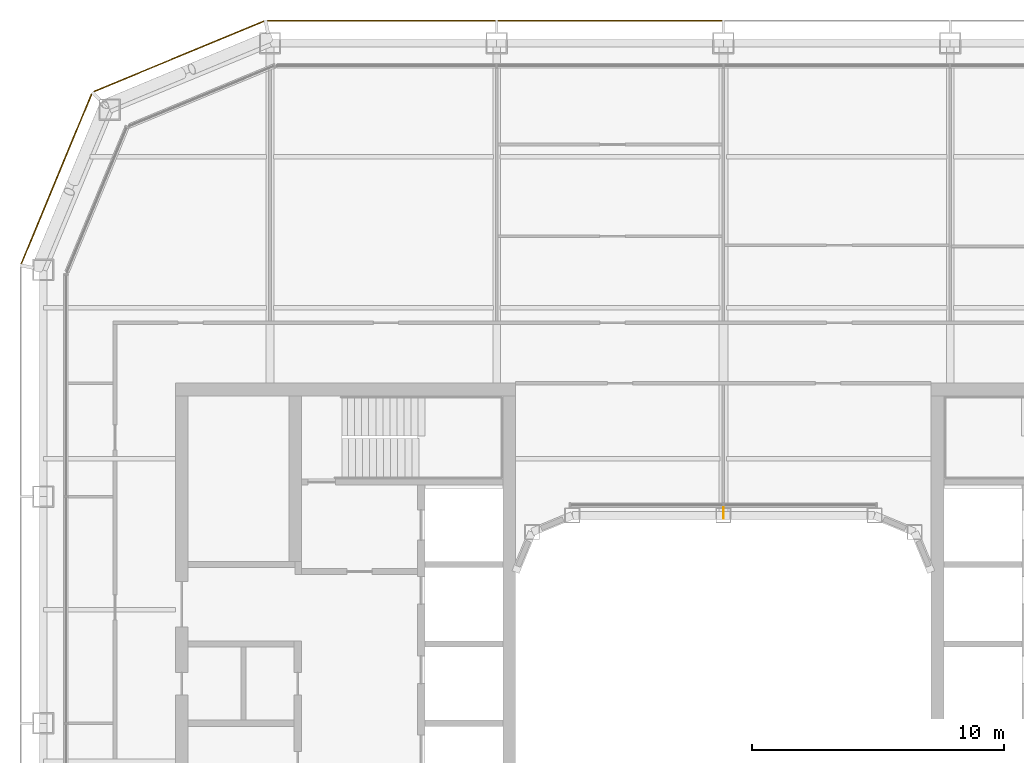
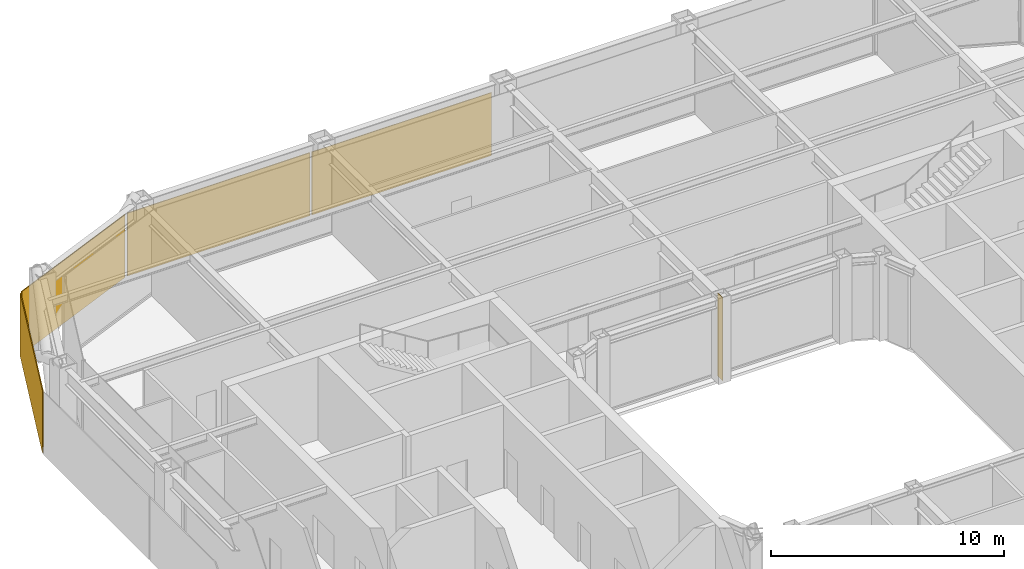
# One storey, part 18 of 19: 4 coverings, 1 shading device.
"""IFC4 building model written with IfcOpenShell, lengths in metres."""

import ifcopenshell
import ifcopenshell.guid

model = None  # the IFC model being written
_history = None  # IfcOwnerHistory: only IFC2X3 demands one
_inside = {}  # id of a spatial element -> (the spatial element, [elements in it])
_under = {}  # id of a project, library or spatial element -> (it, [spatial elements below it])
_declared = {}  # id of a project -> (the project, [libraries it declares])
_typed = {}  # id of a type object -> (the type object, [elements of that type])
_made_of = {}  # id of a material, layer set ... -> (it, [elements and type objects made of it])


def new_model(schema):
    """Start an empty IFC model of exactly this schema.

    Asked for "IFC4X3", IfcOpenShell would pick the latest addendum, in which some entities
    have other attributes; the version numbers below select the first issue.
    IFC2X3 requires an IfcOwnerHistory on every rooted entity: one is made here for all.
    """
    global model, _history
    if schema == "IFC4X3":
        model = ifcopenshell.file(schema_version=(4, 3, 0, 0))
    else:
        model = ifcopenshell.file(schema=schema)
    _inside.clear()
    _under.clear()
    _declared.clear()
    _typed.clear()
    _made_of.clear()
    _history = None
    if model.schema == "IFC2X3":
        org = make("IfcOrganization", Name="unknown")
        user = make(
            "IfcPersonAndOrganization",
            ThePerson=make("IfcPerson", FamilyName="unknown"),
            TheOrganization=org,
        )
        app = make(
            "IfcApplication",
            ApplicationDeveloper=org,
            Version="unknown",
            ApplicationFullName="unknown",
            ApplicationIdentifier="unknown",
        )
        _history = make(
            "IfcOwnerHistory",
            OwningUser=user,
            OwningApplication=app,
            ChangeAction="ADDED",
            CreationDate=0,
        )
    return model


def make(cls, **values):
    """One entity of the class cls with the attributes given. An attribute that is None is left unset."""
    return model.create_entity(
        cls, **{name: value for name, value in values.items() if value is not None}
    )


def rooted(cls, **values):
    """An entity with a GlobalId (a new one), such as an element, a storey or a relation."""
    return make(cls, GlobalId=ifcopenshell.guid.new(), OwnerHistory=_history, **values)


def si_unit(unit_type, name, prefix=None):
    """IfcSIUnit, for example si_unit("LENGTHUNIT", "METRE", prefix="MILLI")."""
    return make("IfcSIUnit", UnitType=unit_type, Prefix=prefix, Name=name)


def assignment(units):
    """IfcUnitAssignment: the units of a project."""
    return None if units is None else make("IfcUnitAssignment", Units=units)


def point(xyz):
    """IfcCartesianPoint."""
    return None if xyz is None else make("IfcCartesianPoint", Coordinates=xyz)


def direction(xyz):
    """IfcDirection."""
    return None if xyz is None else make("IfcDirection", DirectionRatios=xyz)


def frame(location, z_axis=None, x_axis=None):
    """IfcAxis2Placement3D, a coordinate frame: its origin and axes. An axis left out is left unset."""
    return make(
        "IfcAxis2Placement3D",
        Location=point(location),
        Axis=direction(z_axis),
        RefDirection=direction(x_axis),
    )


def frame_2d(location, x_axis=None):
    """IfcAxis2Placement2D, a coordinate frame in the plane: its origin and x axis."""
    return make(
        "IfcAxis2Placement2D", Location=point(location), RefDirection=direction(x_axis)
    )


def origin():
    """The frame at (0, 0, 0) with its axes left unset."""
    return frame((0.0, 0.0, 0.0))


def origin_2d():
    """The frame at (0, 0) in the plane with its x axis left unset."""
    return frame_2d((0.0, 0.0))


def place(relative_to, where):
    """IfcLocalPlacement: puts the frame where relative to a parent placement (None: the world)."""
    return make(
        "IfcLocalPlacement", PlacementRelTo=relative_to, RelativePlacement=where
    )


def context(
    kind, dimensions, precision=None, world=None, true_north=None, identifier=None
):
    """IfcGeometricRepresentationContext, for example the 3D "Model" context."""
    return make(
        "IfcGeometricRepresentationContext",
        ContextIdentifier=identifier,
        ContextType=kind,
        CoordinateSpaceDimension=dimensions,
        Precision=precision,
        WorldCoordinateSystem=world,
        TrueNorth=true_north,
    )


def subcontext(parent, identifier, kind, view, scale=None):
    """IfcGeometricRepresentationSubContext, for example "Body" below "Model"."""
    return make(
        "IfcGeometricRepresentationSubContext",
        ContextIdentifier=identifier,
        ContextType=kind,
        ParentContext=parent,
        TargetScale=scale,
        TargetView=view,
    )


def project(units=None, contexts=None):
    """IfcProject with its units and contexts."""
    return rooted(
        "IfcProject",
        Name="project",
        RepresentationContexts=contexts,
        UnitsInContext=assignment(units),
    )


def spatial(cls, under=None, at=None, **own):
    """A site, building, storey or space (cls), placed at a placement, below another one or the project."""
    s = rooted(cls, ObjectPlacement=at, **own)
    if under is not None:
        _under.setdefault(under.id(), (under, []))[1].append(s)
    return s


def profile(cls, at=None, kind="AREA", **sizes):
    """A parametric profile (cls). Its sizes go by their IFC names, for example OverallWidth=200.0."""
    return make(cls, ProfileType=kind, Position=at, **sizes)


def rectangle(**sizes):
    """IfcRectangleProfileDef."""
    return profile("IfcRectangleProfileDef", **sizes)


def extrude(swept, where, along, depth):
    """IfcExtrudedAreaSolid: the profile swept, set in the frame where, extruded along a direction by depth."""
    return make(
        "IfcExtrudedAreaSolid",
        SweptArea=swept,
        Position=where,
        ExtrudedDirection=direction(along),
        Depth=depth,
    )


def shape(context_of_items, identifier, shape_type, items):
    """IfcShapeRepresentation: the items that make up one representation, for example the "Body"."""
    return make(
        "IfcShapeRepresentation",
        ContextOfItems=context_of_items,
        RepresentationIdentifier=identifier,
        RepresentationType=shape_type,
        Items=items,
    )


def material(Name=None, Category=None):
    """IfcMaterial."""
    return make("IfcMaterial", Name=Name, Category=Category)


def layer(
    of_material, thickness, ventilated=None, Name=None, Category=None, Priority=None
):
    """IfcMaterialLayer: one layer of a wall or slab, of a material (None: an air gap)."""
    return make(
        "IfcMaterialLayer",
        Material=of_material,
        LayerThickness=thickness,
        IsVentilated=ventilated,
        Name=Name,
        Category=Category,
        Priority=Priority,
    )


def layer_set(layers, Name=None):
    """IfcMaterialLayerSet."""
    return make("IfcMaterialLayerSet", MaterialLayers=layers, LayerSetName=Name)


def made_of(thing, what):
    """Note that an element or type object is made of a material, layer set ...; save() writes the relation."""
    if what is not None:
        _made_of.setdefault(what.id(), (what, []))[1].append(thing)
    return thing


def type_object(cls, material=None, **own):
    """A type object (cls), such as IfcWallType, which elements share."""
    return made_of(rooted(cls, **own), material)


def element(
    cls,
    number,
    at=None,
    inside=None,
    cuts=None,
    type_object=None,
    material=None,
    context=None,
    identifier="Body",
    shape_type=None,
    held_by="IfcProductDefinitionShape",
    body=None,
    shapes=None,
    **own,
):
    """One element of the class cls, such as IfcWall. Its Tag is "e" and its number.

    at: its placement. inside: the storey or other place that contains it. cuts: it is an
    opening in that element (IfcRelVoidsElement). A single representation is given by context,
    identifier, shape_type and body (its items); several are given by shapes. held_by: the class
    of the entity that holds the representations. save() writes the other relations.
    """
    e = rooted(cls, Tag="e%d" % number, ObjectPlacement=at, **own)
    if body is not None:
        shapes = [shape(context, identifier, shape_type, body)]
    if shapes is not None:
        e.Representation = make(held_by, Representations=shapes)
    if inside is not None:
        _inside.setdefault(inside.id(), (inside, []))[1].append(e)
    if cuts is not None:
        rooted(
            "IfcRelVoidsElement", RelatingBuildingElement=cuts, RelatedOpeningElement=e
        )
    if type_object is not None:
        _typed.setdefault(type_object.id(), (type_object, []))[1].append(e)
    return made_of(e, material)


def aggregate(whole, parts):
    """IfcRelAggregates: a whole, such as a stair, and the parts it consists of."""
    return rooted("IfcRelAggregates", RelatingObject=whole, RelatedObjects=parts)


def save(model, path):
    """Write the relations noted so far, then the file.

    IfcRelAggregates (storeys below a building ...), IfcRelContainedInSpatialStructure (elements
    in a storey), IfcRelDefinesByType, IfcRelAssociatesMaterial and IfcRelDeclares: one each for
    every whole, place, type object, material and project.
    """
    for whole, parts in _under.values():
        aggregate(whole, parts)
    for where, things in _inside.values():
        rooted(
            "IfcRelContainedInSpatialStructure",
            RelatedElements=things,
            RelatingStructure=where,
        )
    for kind, things in _typed.values():
        rooted("IfcRelDefinesByType", RelatedObjects=things, RelatingType=kind)
    for what, things in _made_of.values():
        rooted("IfcRelAssociatesMaterial", RelatedObjects=things, RelatingMaterial=what)
    for by, libraries in _declared.values():
        rooted("IfcRelDeclares", RelatingContext=by, RelatedDefinitions=libraries)
    model.write(path)


model = new_model("IFC4")

# Units and contexts
model_context = context("Model", 3, precision=1e-05, world=origin(), true_north=direction((0.0, 1.0)))
body_context = subcontext(model_context, "Body", "Model", "MODEL_VIEW")
ifc_project = project(units=[si_unit("LENGTHUNIT", "METRE"), si_unit("AREAUNIT", "SQUARE_METRE"), si_unit("VOLUMEUNIT", "CUBIC_METRE"), si_unit("PLANEANGLEUNIT", "RADIAN"), si_unit("MASSUNIT", "GRAM", prefix="KILO")], contexts=[model_context])

# Site, building, storey
site_placement = place(None, origin())
site = spatial("IfcSite", under=ifc_project, at=site_placement, CompositionType="ELEMENT")
building_placement = place(site_placement, origin())
building = spatial("IfcBuilding", under=site, at=building_placement, Name="Siwar Civic Tower", CompositionType="ELEMENT")
storey_placement = place(building_placement, frame((0.0, 0.0, 210.699951171875)))
storey = spatial("IfcBuildingStorey", under=building, at=storey_placement, Name="L45", CompositionType="ELEMENT", Elevation=210.699951171875)

# Shading device
ifc_material_1 = material(Name="Aluminium 6063-T6", Category="aluminium")
ifc_layer_1 = layer(ifc_material_1, 0.02001953125)
ifc_layer_set_1 = layer_set([ifc_layer_1], Name="Aluminium 6063-T6")
shading_device_type = type_object("IfcShadingDeviceType", Name="ENV-FIN", PredefinedType="JALOUSIE", material=ifc_layer_set_1)
shading_device_placement = place(storey_placement, frame((0.0, 8.344970703125, 0.0), z_axis=(0.0, 0.0, 1.0), x_axis=(-1.0, 0.0, 0.0)))
element("IfcShadingDevice", 1, at=shading_device_placement, inside=storey, type_object=shading_device_type, Name="SUNSHADE fin WN 1", PredefinedType="JALOUSIE", context=body_context, shape_type="SweptSolid", body=[
    extrude(rectangle(XDim=0.02001953125, YDim=0.449951171875, at=origin_2d()), origin(), (0.0, 0.0, 1.0), 4.35009765625),
])

# Coverings
ifc_material_2 = material(Name="Perforated aluminium cassette, pale metal", Category="aluminium")
ifc_layer_2 = layer(ifc_material_2, 0.0400390625)
ifc_layer_set_2 = layer_set([ifc_layer_2], Name="Perforated aluminium cassette, pale metal")
covering_type_1 = type_object("IfcCoveringType", Name="ENV-OUTER SKIN OS-1", PredefinedType="CLADDING", material=ifc_layer_set_2)
covering_1_placement = place(storey_placement, frame((-4.5, 27.89990234375, -0.14990234375), z_axis=(0.0, 0.0, 1.0), x_axis=(-1.0, 0.0, 0.0)))
element("IfcCovering", 2, at=covering_1_placement, inside=storey, type_object=covering_type_1, Name="OUTER SKIN OS-1 N 3", PredefinedType="CLADDING", context=body_context, shape_type="SweptSolid", body=[
    extrude(rectangle(XDim=8.89990234375, YDim=0.0400390625, at=origin_2d()), origin(), (0.0, 0.0, 1.0), 3.300048828125),
])
covering_2_placement = place(storey_placement, frame((-13.57958984375, 27.89990234375, -0.14990234375), z_axis=(0.0, 0.0, 1.0), x_axis=(-1.0, 0.0, 0.0)))
element("IfcCovering", 3, at=covering_2_placement, inside=storey, type_object=covering_type_1, Name="OUTER SKIN OS-1 N 4", PredefinedType="CLADDING", context=body_context, shape_type="SweptSolid", body=[
    extrude(rectangle(XDim=9.05908203125, YDim=0.0400390625, at=origin_2d()), origin(), (0.0, 0.0, 1.0), 3.300048828125),
])
covering_3_placement = place(storey_placement, frame((-21.615966796875, 26.476318359375, -0.14990234375), z_axis=(0.0, 0.0, 1.0), x_axis=(-0.923879532511, -0.382683432365, 0.0)))
element("IfcCovering", 4, at=covering_3_placement, inside=storey, type_object=covering_type_1, Name="OUTER SKIN OS-1 NW1 1", PredefinedType="CLADDING", context=body_context, shape_type="SweptSolid", body=[
    extrude(rectangle(XDim=7.300048828125, YDim=0.0400390625, at=origin_2d()), origin(), (0.0, 0.0, 1.0), 3.300048828125),
])
ifc_material_3 = material(Name="Perforated aluminium cassette, pale metal", Category="aluminium")
ifc_layer_3 = layer(ifc_material_3, 0.044921875)
ifc_layer_set_3 = layer_set([ifc_layer_3], Name="Perforated aluminium cassette, pale metal")
covering_type_2 = type_object("IfcCoveringType", Name="ENV-OUTER SKIN OS-2", PredefinedType="CLADDING", material=ifc_layer_set_3)
covering_4_placement = place(storey_placement, frame((-26.476318359375, 21.615966796875, -0.14990234375), z_axis=(0.0, 0.0, 1.0), x_axis=(-0.382683432365, -0.923879532511, 0.0)))
element("IfcCovering", 5, at=covering_4_placement, inside=storey, type_object=covering_type_2, Name="OUTER SKIN OS-2 NW2 1", PredefinedType="CLADDING", context=body_context, shape_type="SweptSolid", body=[
    extrude(rectangle(XDim=7.300048828125, YDim=0.044921875, at=origin_2d()), origin(), (0.0, 0.0, 1.0), 3.300048828125),
])

save(model, "model.ifc")
